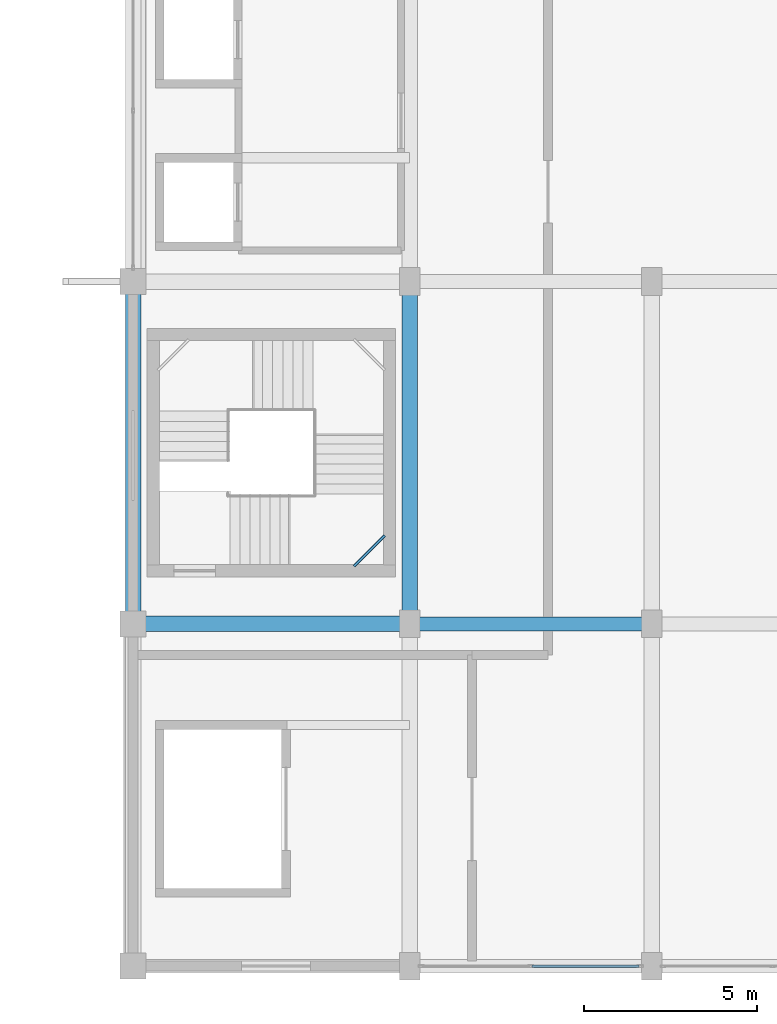
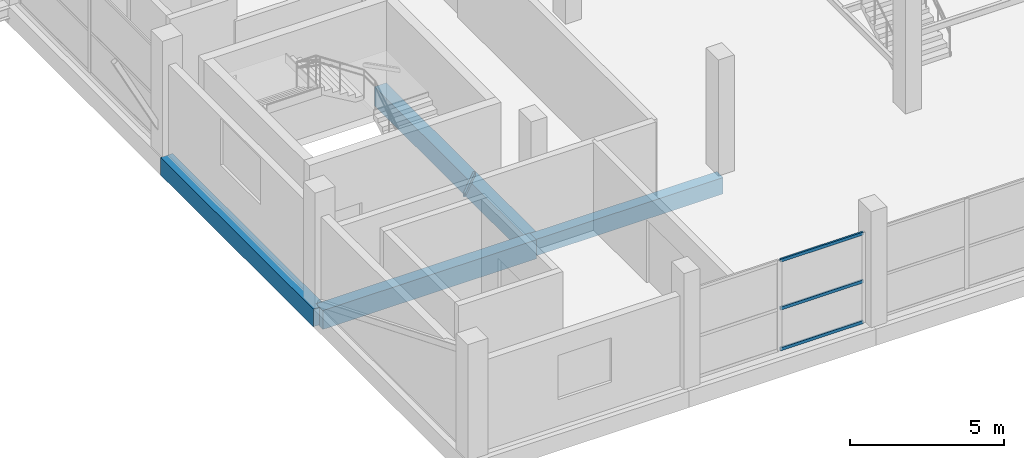
# One storey, part 3 of 58: 5 beams, 3 members, 1 element without a shape of its own.
"""IFC4 building model written with IfcOpenShell, lengths in metres."""

from ifc_helpers import new_model, si_unit, direction, frame, origin, origin_2d, place, context, subcontext, project, spatial, rectangle, hollow_rectangle, extrude, material, layer, layer_set, material_profile, profile_set, type_object, element, aggregate, save


model = new_model("IFC4")

# Units and contexts
model_context = context("Model", 3, precision=1e-05, world=origin(), true_north=direction((0.0, 1.0)))
body_context = subcontext(model_context, "Body", "Model", "MODEL_VIEW")
ifc_project = project(units=[si_unit("LENGTHUNIT", "METRE"), si_unit("AREAUNIT", "SQUARE_METRE"), si_unit("VOLUMEUNIT", "CUBIC_METRE"), si_unit("PLANEANGLEUNIT", "RADIAN"), si_unit("MASSUNIT", "GRAM", prefix="KILO")], contexts=[model_context])

# Site, building, storey
site_placement = place(None, origin())
site = spatial("IfcSite", under=ifc_project, at=site_placement, CompositionType="ELEMENT")
building_placement = place(site_placement, origin())
building = spatial("IfcBuilding", under=site, at=building_placement, Name="Sillaruma Civic Art Gallery", CompositionType="ELEMENT")
storey_placement = place(building_placement, frame((0.0, 0.0, 28.56005859375)))
storey = spatial("IfcBuildingStorey", under=building, at=storey_placement, Name="L05", CompositionType="ELEMENT", Elevation=28.56005859375)

# Beams
ifc_material_1 = material(Name="Concrete H35 (35 MPa)", Category="concrete")
ifc_material_profile_1 = material_profile(ifc_material_1, rectangle(XDim=0.39990234375, YDim=0.64990234375, at=origin_2d()), Name="RCB400x650")
ifc_profile_set_1 = profile_set([ifc_material_profile_1], Name="Concrete H35 (35 MPa)")
beam_type_1 = type_object("IfcBeamType", Name="BM-BEAM-RCB400x650", PredefinedType="BEAM", material=ifc_profile_set_1)
beam_1_placement = place(storey_placement, frame((70.0, 29.699951171875, -0.60498046875), z_axis=(1.0, 0.0, 0.0), x_axis=(0.0, 1.0, 0.0)))
element("IfcBeam", 1, at=beam_1_placement, inside=storey, type_object=beam_type_1, Name="Beam BM-05 (L04:4:G-H)", PredefinedType="BEAM", context=body_context, shape_type="SweptSolid", body=[
    extrude(rectangle(XDim=0.39990234375, YDim=0.64990234375, at=origin_2d()), origin(), (0.0, 0.0, 1.0), 7.0),
])
ifc_material_2 = material(Name="Concrete H40 (40 MPa)", Category="concrete")
ifc_material_profile_2 = material_profile(ifc_material_2, rectangle(XDim=0.449951171875, YDim=0.75, at=origin_2d()), Name="RCB450x750")
ifc_profile_set_2 = profile_set([ifc_material_profile_2], Name="Concrete H40 (40 MPa)")
beam_type_2 = type_object("IfcBeamType", Name="BM-BEAM-RCB450x750", PredefinedType="BEAM", material=ifc_profile_set_2)
beam_2_placement = place(storey_placement, frame((62.0, 29.699951171875, -0.655029296875), z_axis=(1.0, 0.0, 0.0), x_axis=(0.0, 1.0, 0.0)))
element("IfcBeam", 2, at=beam_2_placement, inside=storey, type_object=beam_type_2, Name="Beam BM-03 (L04:4:F-G)", PredefinedType="BEAM", context=body_context, shape_type="SweptSolid", body=[
    extrude(rectangle(XDim=0.449951171875, YDim=0.75, at=origin_2d()), origin(), (0.0, 0.0, 1.0), 8.0),
])
beam_3_placement = place(storey_placement, frame((70.0, 29.699951171875, -0.655029296875), z_axis=(0.0, 1.0, 0.0), x_axis=(-1.0, 0.0, 0.0)))
element("IfcBeam", 3, at=beam_3_placement, inside=storey, type_object=beam_type_2, Name="Beam BM-03 (L04:G:4-5)", PredefinedType="BEAM", context=body_context, shape_type="SweptSolid", body=[
    extrude(rectangle(XDim=0.449951171875, YDim=0.75, at=origin_2d()), origin(), (0.0, 0.0, 1.0), 9.900146484375),
])
ifc_material_3 = material(Name="Structural Steel ASTM A500 Gr.C", Category="steel")
ifc_material_profile_3 = material_profile(ifc_material_3, hollow_rectangle(XDim=0.080078125, YDim=0.159912109375, WallThickness=0.008056640625, InnerFilletRadius=0.008056640625, OuterFilletRadius=0.01611328125, at=origin_2d()), Name="HSS160x80x8")
ifc_profile_set_3 = profile_set([ifc_material_profile_3], Name="Structural Steel ASTM A500 Gr.C")
beam_type_3 = type_object("IfcBeamType", Name="BM-LND-HSS160", PredefinedType="BEAM", material=ifc_profile_set_3)
beam_4_placement = place(storey_placement, frame((68.389892578125, 31.3701171875, 0.909912109375), z_axis=(0.707203758046, 0.707009791025, 0.0), x_axis=(-0.707009791025, 0.707203758046, 0.0)))
element("IfcBeam", 4, at=beam_4_placement, inside=storey, type_object=beam_type_3, Name="Stair Corner Landing Trimmer Beam (ST-03-L05-1)", PredefinedType="BEAM", context=body_context, shape_type="SweptSolid", body=[
    extrude(hollow_rectangle(XDim=0.080078125, YDim=0.159912109375, WallThickness=0.008056640625, InnerFilletRadius=0.008056640625, OuterFilletRadius=0.01611328125, at=origin_2d()), origin(), (0.0, 0.0, 1.0), 1.2587890625),
])
ifc_material_profile_4 = material_profile(ifc_material_1, rectangle(XDim=0.449951171875, YDim=0.699951171875, at=origin_2d()), Name="RCB450x700")
ifc_profile_set_4 = profile_set([ifc_material_profile_4], Name="Concrete H35 (35 MPa)")
beam_type_4 = type_object("IfcBeamType", Name="BM-SPANDREL-RCB450x700", PredefinedType="SPANDREL", material=ifc_profile_set_4)
beam_5_placement = place(storey_placement, frame((62.0, 29.699951171875, -0.630126953125), z_axis=(0.0, 1.0, 0.0), x_axis=(-1.0, 0.0, 0.0)))
element("IfcBeam", 5, at=beam_5_placement, inside=storey, type_object=beam_type_4, Name="Beam BS-03 (L04:F:4-5)", PredefinedType="SPANDREL", context=body_context, shape_type="SweptSolid", body=[
    extrude(rectangle(XDim=0.449951171875, YDim=0.699951171875, at=origin_2d()), origin(), (0.0, 0.0, 1.0), 9.900146484375),
])

# Curtain wall, members
ifc_material_4 = material(Name="Thermally Broken Extruded Aluminium 6063-T6", Category="aluminium")
ifc_layer = layer(ifc_material_4, 0.179931640625, Name="Thermally Broken Extruded Aluminium 6063-T6")
ifc_layer_set = layer_set([ifc_layer], Name="Thermally Broken Extruded Aluminium 6063-T6")
curtain_wall_type = type_object("IfcCurtainWallType", Name="CW-UNI-36", PredefinedType="NOTDEFINED", material=ifc_layer_set)
curtain_wall_placement = place(storey_placement, origin())
curtain_wall = element("IfcCurtainWall", 6, at=curtain_wall_placement, inside=storey, type_object=curtain_wall_type, Name="Unitised Curtain Wall CW-36 (CW-L05-S-2)", PredefinedType="NOTDEFINED")
ifc_material_profile_5 = material_profile(ifc_material_4, hollow_rectangle(XDim=0.06494140625, YDim=0.1201171875, WallThickness=0.00341796875, at=origin_2d()), Name="CWT65x120")
ifc_profile_set_5 = profile_set([ifc_material_profile_5], Name="Thermally Broken Extruded Aluminium 6063-T6")
member_type = type_object("IfcMemberType", Name="MEM-TRN-CWT65x120", PredefinedType="USERDEFINED", material=ifc_profile_set_5)
member_1_placement = place(storey_placement, frame((73.534912109375, 19.800048828125, 0.032470703125), z_axis=(1.0, 0.0, 0.0), x_axis=(0.0, 1.0, 0.0)))
member_1 = element("IfcMember", 7, at=member_1_placement, type_object=member_type, Name="CW-36 transom 2.1", ObjectType="TRANSOM", PredefinedType="USERDEFINED", context=body_context, shape_type="SweptSolid", body=[
    extrude(hollow_rectangle(XDim=0.06494140625, YDim=0.1201171875, WallThickness=0.00341796875, at=origin_2d()), origin(), (0.0, 0.0, 1.0), 3.094970703125),
])
member_2_placement = place(storey_placement, frame((73.534912109375, 19.800048828125, 1.64208984375), z_axis=(1.0, 0.0, 0.0), x_axis=(0.0, 1.0, 0.0)))
member_2 = element("IfcMember", 8, at=member_2_placement, type_object=member_type, Name="CW-36 transom 2.2", ObjectType="TRANSOM", PredefinedType="USERDEFINED", context=body_context, shape_type="SweptSolid", body=[
    extrude(hollow_rectangle(XDim=0.06494140625, YDim=0.1201171875, WallThickness=0.00341796875, at=origin_2d()), origin(), (0.0, 0.0, 1.0), 3.094970703125),
])
member_3_placement = place(storey_placement, frame((73.534912109375, 19.800048828125, 3.537353515625), z_axis=(1.0, 0.0, 0.0), x_axis=(0.0, 1.0, 0.0)))
member_3 = element("IfcMember", 9, at=member_3_placement, type_object=member_type, Name="CW-36 transom 2.3", ObjectType="TRANSOM", PredefinedType="USERDEFINED", context=body_context, shape_type="SweptSolid", body=[
    extrude(hollow_rectangle(XDim=0.06494140625, YDim=0.1201171875, WallThickness=0.00341796875, at=origin_2d()), origin(), (0.0, 0.0, 1.0), 3.094970703125),
])
aggregate(curtain_wall, [member_1, member_2, member_3])

save(model, "model.ifc")
